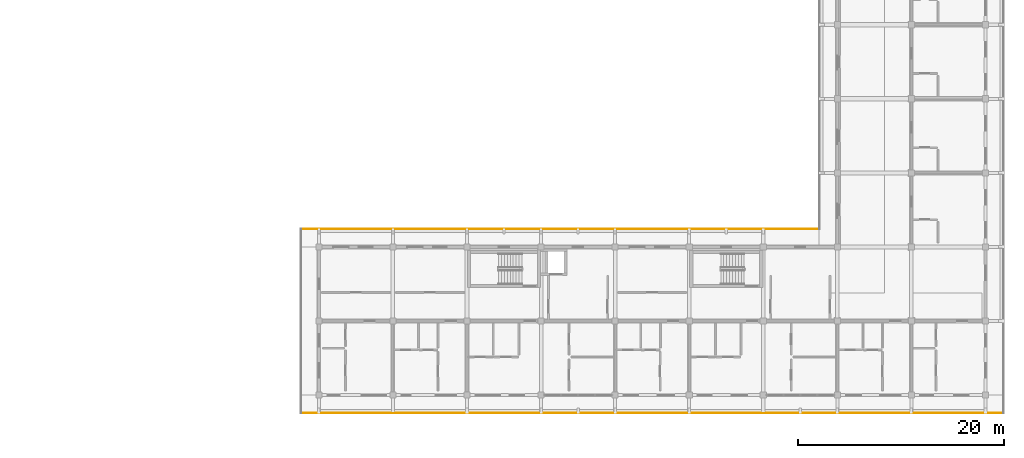
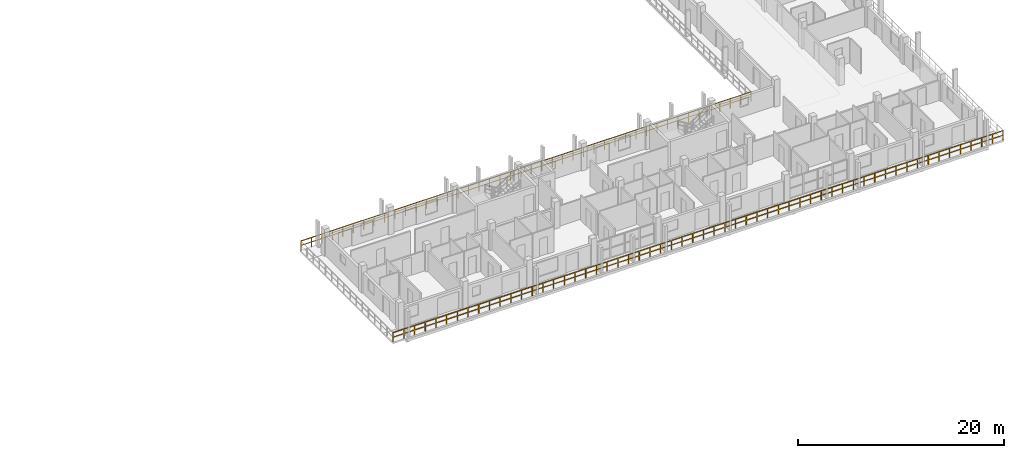
# One storey, part 71 of 76: 2 railings.
"""IFC4 building model written with IfcOpenShell, lengths in metres."""

from ifc_helpers import new_model, si_unit, direction, frame, origin, origin_2d, place, context, subcontext, project, spatial, rectangle, extrude, material, type_object, element, save


model = new_model("IFC4")

# Units and contexts
model_context = context("Model", 3, precision=1e-05, world=origin(), true_north=direction((0.0, 1.0)))
body_context = subcontext(model_context, "Body", "Model", "MODEL_VIEW")
ifc_project = project(units=[si_unit("LENGTHUNIT", "METRE"), si_unit("AREAUNIT", "SQUARE_METRE"), si_unit("VOLUMEUNIT", "CUBIC_METRE"), si_unit("PLANEANGLEUNIT", "RADIAN"), si_unit("MASSUNIT", "GRAM", prefix="KILO")], contexts=[model_context])

# Site, building, storey
site_placement = place(None, origin())
site = spatial("IfcSite", under=ifc_project, at=site_placement, CompositionType="ELEMENT")
building_placement = place(site_placement, origin())
building = spatial("IfcBuilding", under=site, at=building_placement, Name="Suanplinth Sawtooth Commons", CompositionType="ELEMENT")
storey_placement = place(building_placement, frame((0.0, 0.0, 12.199951171875)))
storey = spatial("IfcBuildingStorey", under=building, at=storey_placement, Name="L03", CompositionType="ELEMENT", Elevation=12.199951171875)

# Railings
ifc_material = material(Name="Powder-coated galvanized steel", Category="steel")
railing_type = type_object("IfcRailingType", Name="GR-01", PredefinedType="BALUSTRADE", material=ifc_material)
railing_1_placement = place(storey_placement, frame((120.659912109375, 16.139892578125, 0.0)))
element("IfcRailing", 1, at=railing_1_placement, inside=storey, type_object=railing_type, Name="L03 Block C Perimeter Balustrade 2", PredefinedType="BALUSTRADE", context=body_context, shape_type="SweptSolid", body=[
    extrude(rectangle(XDim=0.048095703125, YDim=0.048095703125, at=origin_2d()), frame((0.0, 0.0, 1.09619140625), z_axis=(1.0, 0.0, 0.0), x_axis=(0.0, 1.0, 0.0)), (0.0, 0.0, 1.0), 50.400146484375),
    extrude(rectangle(XDim=0.03369140625, YDim=0.03369140625, at=origin_2d()), frame((0.0, 0.0, 0.56005859375), z_axis=(1.0, 0.0, 0.0), x_axis=(0.0, 1.0, 0.0)), (0.0, 0.0, 1.0), 50.400146484375),
    extrude(rectangle(XDim=0.0419921875, YDim=0.0419921875, at=origin_2d()), origin(), (0.0, 0.0, 1.0), 1.072021484375),
    extrude(rectangle(XDim=0.0419921875, YDim=0.0419921875, at=origin_2d()), frame((1.172119140625, 0.0, 0.0)), (0.0, 0.0, 1.0), 1.072021484375),
    extrude(rectangle(XDim=0.0419921875, YDim=0.0419921875, at=origin_2d()), frame((2.34423828125, 0.0, 0.0)), (0.0, 0.0, 1.0), 1.072021484375),
    extrude(rectangle(XDim=0.0419921875, YDim=0.0419921875, at=origin_2d()), frame((3.516357421875, 0.0, 0.0)), (0.0, 0.0, 1.0), 1.072021484375),
    extrude(rectangle(XDim=0.0419921875, YDim=0.0419921875, at=origin_2d()), frame((4.6884765625, 0.0, 0.0)), (0.0, 0.0, 1.0), 1.072021484375),
    extrude(rectangle(XDim=0.0419921875, YDim=0.0419921875, at=origin_2d()), frame((5.860595703125, 0.0, 0.0)), (0.0, 0.0, 1.0), 1.072021484375),
    extrude(rectangle(XDim=0.0419921875, YDim=0.0419921875, at=origin_2d()), frame((7.032470703125, 0.0, 0.0)), (0.0, 0.0, 1.0), 1.072021484375),
    extrude(rectangle(XDim=0.0419921875, YDim=0.0419921875, at=origin_2d()), frame((8.20458984375, 0.0, 0.0)), (0.0, 0.0, 1.0), 1.072021484375),
    extrude(rectangle(XDim=0.0419921875, YDim=0.0419921875, at=origin_2d()), frame((9.376708984375, 0.0, 0.0)), (0.0, 0.0, 1.0), 1.072021484375),
    extrude(rectangle(XDim=0.0419921875, YDim=0.0419921875, at=origin_2d()), frame((10.548828125, 0.0, 0.0)), (0.0, 0.0, 1.0), 1.072021484375),
    extrude(rectangle(XDim=0.0419921875, YDim=0.0419921875, at=origin_2d()), frame((11.720947265625, 0.0, 0.0)), (0.0, 0.0, 1.0), 1.072021484375),
    extrude(rectangle(XDim=0.0419921875, YDim=0.0419921875, at=origin_2d()), frame((12.89306640625, 0.0, 0.0)), (0.0, 0.0, 1.0), 1.072021484375),
    extrude(rectangle(XDim=0.0419921875, YDim=0.0419921875, at=origin_2d()), frame((14.065185546875, 0.0, 0.0)), (0.0, 0.0, 1.0), 1.072021484375),
    extrude(rectangle(XDim=0.0419921875, YDim=0.0419921875, at=origin_2d()), frame((15.2373046875, 0.0, 0.0)), (0.0, 0.0, 1.0), 1.072021484375),
    extrude(rectangle(XDim=0.0419921875, YDim=0.0419921875, at=origin_2d()), frame((16.409423828125, 0.0, 0.0)), (0.0, 0.0, 1.0), 1.072021484375),
    extrude(rectangle(XDim=0.0419921875, YDim=0.0419921875, at=origin_2d()), frame((17.58154296875, 0.0, 0.0)), (0.0, 0.0, 1.0), 1.072021484375),
    extrude(rectangle(XDim=0.0419921875, YDim=0.0419921875, at=origin_2d()), frame((18.753662109375, 0.0, 0.0)), (0.0, 0.0, 1.0), 1.072021484375),
    extrude(rectangle(XDim=0.0419921875, YDim=0.0419921875, at=origin_2d()), frame((19.925537109375, 0.0, 0.0)), (0.0, 0.0, 1.0), 1.072021484375),
    extrude(rectangle(XDim=0.0419921875, YDim=0.0419921875, at=origin_2d()), frame((21.09765625, 0.0, 0.0)), (0.0, 0.0, 1.0), 1.072021484375),
    extrude(rectangle(XDim=0.0419921875, YDim=0.0419921875, at=origin_2d()), frame((22.269775390625, 0.0, 0.0)), (0.0, 0.0, 1.0), 1.072021484375),
    extrude(rectangle(XDim=0.0419921875, YDim=0.0419921875, at=origin_2d()), frame((23.44189453125, 0.0, 0.0)), (0.0, 0.0, 1.0), 1.072021484375),
    extrude(rectangle(XDim=0.0419921875, YDim=0.0419921875, at=origin_2d()), frame((24.614013671875, 0.0, 0.0)), (0.0, 0.0, 1.0), 1.072021484375),
    extrude(rectangle(XDim=0.0419921875, YDim=0.0419921875, at=origin_2d()), frame((25.7861328125, 0.0, 0.0)), (0.0, 0.0, 1.0), 1.072021484375),
    extrude(rectangle(XDim=0.0419921875, YDim=0.0419921875, at=origin_2d()), frame((26.958251953125, 0.0, 0.0)), (0.0, 0.0, 1.0), 1.072021484375),
    extrude(rectangle(XDim=0.0419921875, YDim=0.0419921875, at=origin_2d()), frame((28.13037109375, 0.0, 0.0)), (0.0, 0.0, 1.0), 1.072021484375),
    extrude(rectangle(XDim=0.0419921875, YDim=0.0419921875, at=origin_2d()), frame((29.302490234375, 0.0, 0.0)), (0.0, 0.0, 1.0), 1.072021484375),
    extrude(rectangle(XDim=0.0419921875, YDim=0.0419921875, at=origin_2d()), frame((30.474609375, 0.0, 0.0)), (0.0, 0.0, 1.0), 1.072021484375),
    extrude(rectangle(XDim=0.0419921875, YDim=0.0419921875, at=origin_2d()), frame((31.646484375, 0.0, 0.0)), (0.0, 0.0, 1.0), 1.072021484375),
    extrude(rectangle(XDim=0.0419921875, YDim=0.0419921875, at=origin_2d()), frame((32.818603515625, 0.0, 0.0)), (0.0, 0.0, 1.0), 1.072021484375),
    extrude(rectangle(XDim=0.0419921875, YDim=0.0419921875, at=origin_2d()), frame((33.99072265625, 0.0, 0.0)), (0.0, 0.0, 1.0), 1.072021484375),
    extrude(rectangle(XDim=0.0419921875, YDim=0.0419921875, at=origin_2d()), frame((35.162841796875, 0.0, 0.0)), (0.0, 0.0, 1.0), 1.072021484375),
    extrude(rectangle(XDim=0.0419921875, YDim=0.0419921875, at=origin_2d()), frame((36.3349609375, 0.0, 0.0)), (0.0, 0.0, 1.0), 1.072021484375),
    extrude(rectangle(XDim=0.0419921875, YDim=0.0419921875, at=origin_2d()), frame((37.507080078125, 0.0, 0.0)), (0.0, 0.0, 1.0), 1.072021484375),
    extrude(rectangle(XDim=0.0419921875, YDim=0.0419921875, at=origin_2d()), frame((38.67919921875, 0.0, 0.0)), (0.0, 0.0, 1.0), 1.072021484375),
    extrude(rectangle(XDim=0.0419921875, YDim=0.0419921875, at=origin_2d()), frame((39.851318359375, 0.0, 0.0)), (0.0, 0.0, 1.0), 1.072021484375),
    extrude(rectangle(XDim=0.0419921875, YDim=0.0419921875, at=origin_2d()), frame((41.0234375, 0.0, 0.0)), (0.0, 0.0, 1.0), 1.072021484375),
    extrude(rectangle(XDim=0.0419921875, YDim=0.0419921875, at=origin_2d()), frame((42.195556640625, 0.0, 0.0)), (0.0, 0.0, 1.0), 1.072021484375),
    extrude(rectangle(XDim=0.0419921875, YDim=0.0419921875, at=origin_2d()), frame((43.36767578125, 0.0, 0.0)), (0.0, 0.0, 1.0), 1.072021484375),
    extrude(rectangle(XDim=0.0419921875, YDim=0.0419921875, at=origin_2d()), frame((44.53955078125, 0.0, 0.0)), (0.0, 0.0, 1.0), 1.072021484375),
    extrude(rectangle(XDim=0.0419921875, YDim=0.0419921875, at=origin_2d()), frame((45.711669921875, 0.0, 0.0)), (0.0, 0.0, 1.0), 1.072021484375),
    extrude(rectangle(XDim=0.0419921875, YDim=0.0419921875, at=origin_2d()), frame((46.8837890625, 0.0, 0.0)), (0.0, 0.0, 1.0), 1.072021484375),
    extrude(rectangle(XDim=0.0419921875, YDim=0.0419921875, at=origin_2d()), frame((48.055908203125, 0.0, 0.0)), (0.0, 0.0, 1.0), 1.072021484375),
    extrude(rectangle(XDim=0.0419921875, YDim=0.0419921875, at=origin_2d()), frame((49.22802734375, 0.0, 0.0)), (0.0, 0.0, 1.0), 1.072021484375),
    extrude(rectangle(XDim=0.0419921875, YDim=0.0419921875, at=origin_2d()), frame((50.400146484375, 0.0, 0.0)), (0.0, 0.0, 1.0), 1.072021484375),
])
railing_2_placement = place(storey_placement, frame((188.93994140625, -1.739990234375, 0.0)))
element("IfcRailing", 2, at=railing_2_placement, inside=storey, type_object=railing_type, Name="L03 Block C Perimeter Balustrade 6", PredefinedType="BALUSTRADE", context=body_context, shape_type="SweptSolid", body=[
    extrude(rectangle(XDim=0.048095703125, YDim=0.048095703125, at=origin_2d()), frame((0.0, 0.0, 1.09619140625), z_axis=(-1.0, 0.0, 0.0), x_axis=(0.0, -1.0, 0.0)), (0.0, 0.0, 1.0), 68.280029296875),
    extrude(rectangle(XDim=0.03369140625, YDim=0.03369140625, at=origin_2d()), frame((0.0, 0.0, 0.56005859375), z_axis=(-1.0, 0.0, 0.0), x_axis=(0.0, -1.0, 0.0)), (0.0, 0.0, 1.0), 68.280029296875),
    extrude(rectangle(XDim=0.0419921875, YDim=0.0419921875, at=origin_2d()), origin(), (0.0, 0.0, 1.0), 1.072021484375),
    extrude(rectangle(XDim=0.0419921875, YDim=0.0419921875, at=origin_2d()), frame((-1.197998046875, 0.0, 0.0)), (0.0, 0.0, 1.0), 1.072021484375),
    extrude(rectangle(XDim=0.0419921875, YDim=0.0419921875, at=origin_2d()), frame((-2.395751953125, 0.0, 0.0)), (0.0, 0.0, 1.0), 1.072021484375),
    extrude(rectangle(XDim=0.0419921875, YDim=0.0419921875, at=origin_2d()), frame((-3.59375, 0.0, 0.0)), (0.0, 0.0, 1.0), 1.072021484375),
    extrude(rectangle(XDim=0.0419921875, YDim=0.0419921875, at=origin_2d()), frame((-4.79150390625, 0.0, 0.0)), (0.0, 0.0, 1.0), 1.072021484375),
    extrude(rectangle(XDim=0.0419921875, YDim=0.0419921875, at=origin_2d()), frame((-5.989501953125, 0.0, 0.0)), (0.0, 0.0, 1.0), 1.072021484375),
    extrude(rectangle(XDim=0.0419921875, YDim=0.0419921875, at=origin_2d()), frame((-7.187255859375, 0.0, 0.0)), (0.0, 0.0, 1.0), 1.072021484375),
    extrude(rectangle(XDim=0.0419921875, YDim=0.0419921875, at=origin_2d()), frame((-8.38525390625, 0.0, 0.0)), (0.0, 0.0, 1.0), 1.072021484375),
    extrude(rectangle(XDim=0.0419921875, YDim=0.0419921875, at=origin_2d()), frame((-9.583251953125, 0.0, 0.0)), (0.0, 0.0, 1.0), 1.072021484375),
    extrude(rectangle(XDim=0.0419921875, YDim=0.0419921875, at=origin_2d()), frame((-10.781005859375, 0.0, 0.0)), (0.0, 0.0, 1.0), 1.072021484375),
    extrude(rectangle(XDim=0.0419921875, YDim=0.0419921875, at=origin_2d()), frame((-11.97900390625, 0.0, 0.0)), (0.0, 0.0, 1.0), 1.072021484375),
    extrude(rectangle(XDim=0.0419921875, YDim=0.0419921875, at=origin_2d()), frame((-13.1767578125, 0.0, 0.0)), (0.0, 0.0, 1.0), 1.072021484375),
    extrude(rectangle(XDim=0.0419921875, YDim=0.0419921875, at=origin_2d()), frame((-14.374755859375, 0.0, 0.0)), (0.0, 0.0, 1.0), 1.072021484375),
    extrude(rectangle(XDim=0.0419921875, YDim=0.0419921875, at=origin_2d()), frame((-15.57275390625, 0.0, 0.0)), (0.0, 0.0, 1.0), 1.072021484375),
    extrude(rectangle(XDim=0.0419921875, YDim=0.0419921875, at=origin_2d()), frame((-16.7705078125, 0.0, 0.0)), (0.0, 0.0, 1.0), 1.072021484375),
    extrude(rectangle(XDim=0.0419921875, YDim=0.0419921875, at=origin_2d()), frame((-17.968505859375, 0.0, 0.0)), (0.0, 0.0, 1.0), 1.072021484375),
    extrude(rectangle(XDim=0.0419921875, YDim=0.0419921875, at=origin_2d()), frame((-19.166259765625, 0.0, 0.0)), (0.0, 0.0, 1.0), 1.072021484375),
    extrude(rectangle(XDim=0.0419921875, YDim=0.0419921875, at=origin_2d()), frame((-20.3642578125, 0.0, 0.0)), (0.0, 0.0, 1.0), 1.072021484375),
    extrude(rectangle(XDim=0.0419921875, YDim=0.0419921875, at=origin_2d()), frame((-21.56201171875, 0.0, 0.0)), (0.0, 0.0, 1.0), 1.072021484375),
    extrude(rectangle(XDim=0.0419921875, YDim=0.0419921875, at=origin_2d()), frame((-22.760009765625, 0.0, 0.0)), (0.0, 0.0, 1.0), 1.072021484375),
    extrude(rectangle(XDim=0.0419921875, YDim=0.0419921875, at=origin_2d()), frame((-23.9580078125, 0.0, 0.0)), (0.0, 0.0, 1.0), 1.072021484375),
    extrude(rectangle(XDim=0.0419921875, YDim=0.0419921875, at=origin_2d()), frame((-25.15576171875, 0.0, 0.0)), (0.0, 0.0, 1.0), 1.072021484375),
    extrude(rectangle(XDim=0.0419921875, YDim=0.0419921875, at=origin_2d()), frame((-26.353759765625, 0.0, 0.0)), (0.0, 0.0, 1.0), 1.072021484375),
    extrude(rectangle(XDim=0.0419921875, YDim=0.0419921875, at=origin_2d()), frame((-27.551513671875, 0.0, 0.0)), (0.0, 0.0, 1.0), 1.072021484375),
    extrude(rectangle(XDim=0.0419921875, YDim=0.0419921875, at=origin_2d()), frame((-28.74951171875, 0.0, 0.0)), (0.0, 0.0, 1.0), 1.072021484375),
    extrude(rectangle(XDim=0.0419921875, YDim=0.0419921875, at=origin_2d()), frame((-29.947265625, 0.0, 0.0)), (0.0, 0.0, 1.0), 1.072021484375),
    extrude(rectangle(XDim=0.0419921875, YDim=0.0419921875, at=origin_2d()), frame((-31.145263671875, 0.0, 0.0)), (0.0, 0.0, 1.0), 1.072021484375),
    extrude(rectangle(XDim=0.0419921875, YDim=0.0419921875, at=origin_2d()), frame((-32.34326171875, 0.0, 0.0)), (0.0, 0.0, 1.0), 1.072021484375),
    extrude(rectangle(XDim=0.0419921875, YDim=0.0419921875, at=origin_2d()), frame((-33.541015625, 0.0, 0.0)), (0.0, 0.0, 1.0), 1.072021484375),
    extrude(rectangle(XDim=0.0419921875, YDim=0.0419921875, at=origin_2d()), frame((-34.739013671875, 0.0, 0.0)), (0.0, 0.0, 1.0), 1.072021484375),
    extrude(rectangle(XDim=0.0419921875, YDim=0.0419921875, at=origin_2d()), frame((-35.936767578125, 0.0, 0.0)), (0.0, 0.0, 1.0), 1.072021484375),
    extrude(rectangle(XDim=0.0419921875, YDim=0.0419921875, at=origin_2d()), frame((-37.134765625, 0.0, 0.0)), (0.0, 0.0, 1.0), 1.072021484375),
    extrude(rectangle(XDim=0.0419921875, YDim=0.0419921875, at=origin_2d()), frame((-38.332763671875, 0.0, 0.0)), (0.0, 0.0, 1.0), 1.072021484375),
    extrude(rectangle(XDim=0.0419921875, YDim=0.0419921875, at=origin_2d()), frame((-39.530517578125, 0.0, 0.0)), (0.0, 0.0, 1.0), 1.072021484375),
    extrude(rectangle(XDim=0.0419921875, YDim=0.0419921875, at=origin_2d()), frame((-40.728515625, 0.0, 0.0)), (0.0, 0.0, 1.0), 1.072021484375),
    extrude(rectangle(XDim=0.0419921875, YDim=0.0419921875, at=origin_2d()), frame((-41.92626953125, 0.0, 0.0)), (0.0, 0.0, 1.0), 1.072021484375),
    extrude(rectangle(XDim=0.0419921875, YDim=0.0419921875, at=origin_2d()), frame((-43.124267578125, 0.0, 0.0)), (0.0, 0.0, 1.0), 1.072021484375),
    extrude(rectangle(XDim=0.0419921875, YDim=0.0419921875, at=origin_2d()), frame((-44.322021484375, 0.0, 0.0)), (0.0, 0.0, 1.0), 1.072021484375),
    extrude(rectangle(XDim=0.0419921875, YDim=0.0419921875, at=origin_2d()), frame((-45.52001953125, 0.0, 0.0)), (0.0, 0.0, 1.0), 1.072021484375),
    extrude(rectangle(XDim=0.0419921875, YDim=0.0419921875, at=origin_2d()), frame((-46.718017578125, 0.0, 0.0)), (0.0, 0.0, 1.0), 1.072021484375),
    extrude(rectangle(XDim=0.0419921875, YDim=0.0419921875, at=origin_2d()), frame((-47.915771484375, 0.0, 0.0)), (0.0, 0.0, 1.0), 1.072021484375),
    extrude(rectangle(XDim=0.0419921875, YDim=0.0419921875, at=origin_2d()), frame((-49.11376953125, 0.0, 0.0)), (0.0, 0.0, 1.0), 1.072021484375),
    extrude(rectangle(XDim=0.0419921875, YDim=0.0419921875, at=origin_2d()), frame((-50.3115234375, 0.0, 0.0)), (0.0, 0.0, 1.0), 1.072021484375),
    extrude(rectangle(XDim=0.0419921875, YDim=0.0419921875, at=origin_2d()), frame((-51.509521484375, 0.0, 0.0)), (0.0, 0.0, 1.0), 1.072021484375),
    extrude(rectangle(XDim=0.0419921875, YDim=0.0419921875, at=origin_2d()), frame((-52.707275390625, 0.0, 0.0)), (0.0, 0.0, 1.0), 1.072021484375),
    extrude(rectangle(XDim=0.0419921875, YDim=0.0419921875, at=origin_2d()), frame((-53.9052734375, 0.0, 0.0)), (0.0, 0.0, 1.0), 1.072021484375),
    extrude(rectangle(XDim=0.0419921875, YDim=0.0419921875, at=origin_2d()), frame((-55.103271484375, 0.0, 0.0)), (0.0, 0.0, 1.0), 1.072021484375),
    extrude(rectangle(XDim=0.0419921875, YDim=0.0419921875, at=origin_2d()), frame((-56.301025390625, 0.0, 0.0)), (0.0, 0.0, 1.0), 1.072021484375),
    extrude(rectangle(XDim=0.0419921875, YDim=0.0419921875, at=origin_2d()), frame((-57.4990234375, 0.0, 0.0)), (0.0, 0.0, 1.0), 1.072021484375),
    extrude(rectangle(XDim=0.0419921875, YDim=0.0419921875, at=origin_2d()), frame((-58.69677734375, 0.0, 0.0)), (0.0, 0.0, 1.0), 1.072021484375),
    extrude(rectangle(XDim=0.0419921875, YDim=0.0419921875, at=origin_2d()), frame((-59.894775390625, 0.0, 0.0)), (0.0, 0.0, 1.0), 1.072021484375),
    extrude(rectangle(XDim=0.0419921875, YDim=0.0419921875, at=origin_2d()), frame((-61.0927734375, 0.0, 0.0)), (0.0, 0.0, 1.0), 1.072021484375),
    extrude(rectangle(XDim=0.0419921875, YDim=0.0419921875, at=origin_2d()), frame((-62.29052734375, 0.0, 0.0)), (0.0, 0.0, 1.0), 1.072021484375),
    extrude(rectangle(XDim=0.0419921875, YDim=0.0419921875, at=origin_2d()), frame((-63.488525390625, 0.0, 0.0)), (0.0, 0.0, 1.0), 1.072021484375),
    extrude(rectangle(XDim=0.0419921875, YDim=0.0419921875, at=origin_2d()), frame((-64.686279296875, 0.0, 0.0)), (0.0, 0.0, 1.0), 1.072021484375),
    extrude(rectangle(XDim=0.0419921875, YDim=0.0419921875, at=origin_2d()), frame((-65.88427734375, 0.0, 0.0)), (0.0, 0.0, 1.0), 1.072021484375),
    extrude(rectangle(XDim=0.0419921875, YDim=0.0419921875, at=origin_2d()), frame((-67.08203125, 0.0, 0.0)), (0.0, 0.0, 1.0), 1.072021484375),
    extrude(rectangle(XDim=0.0419921875, YDim=0.0419921875, at=origin_2d()), frame((-68.280029296875, 0.0, 0.0)), (0.0, 0.0, 1.0), 1.072021484375),
])

save(model, "model.ifc")
